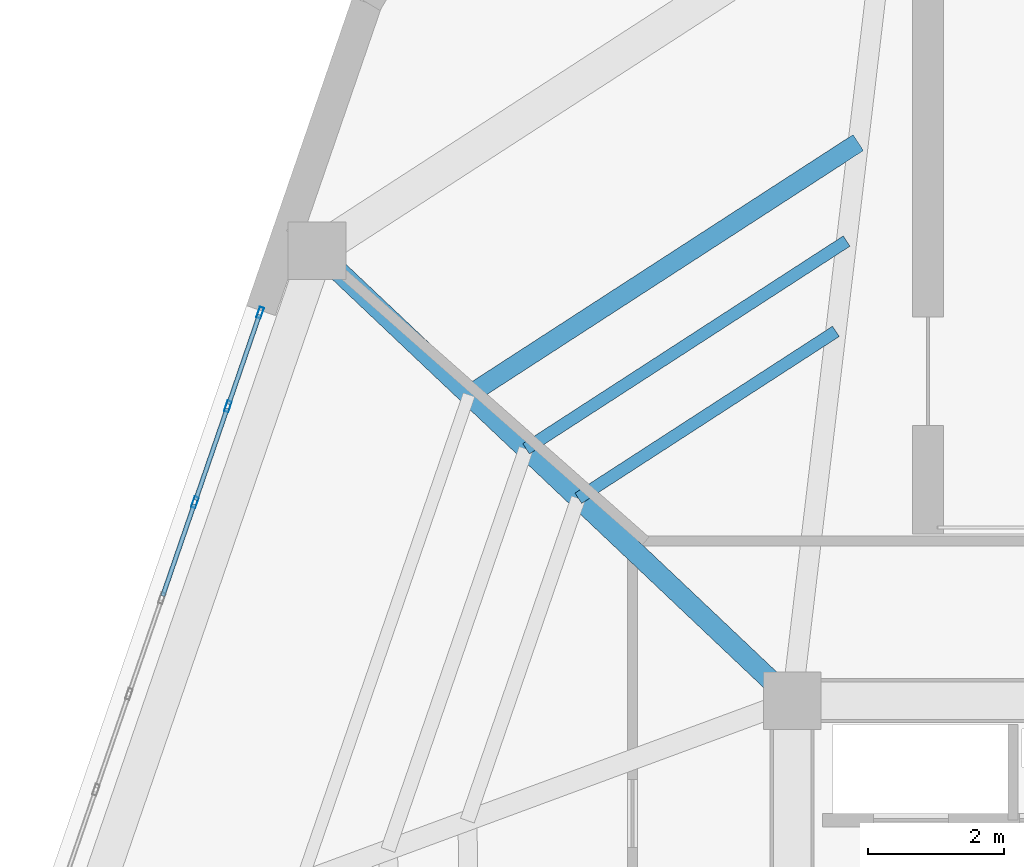
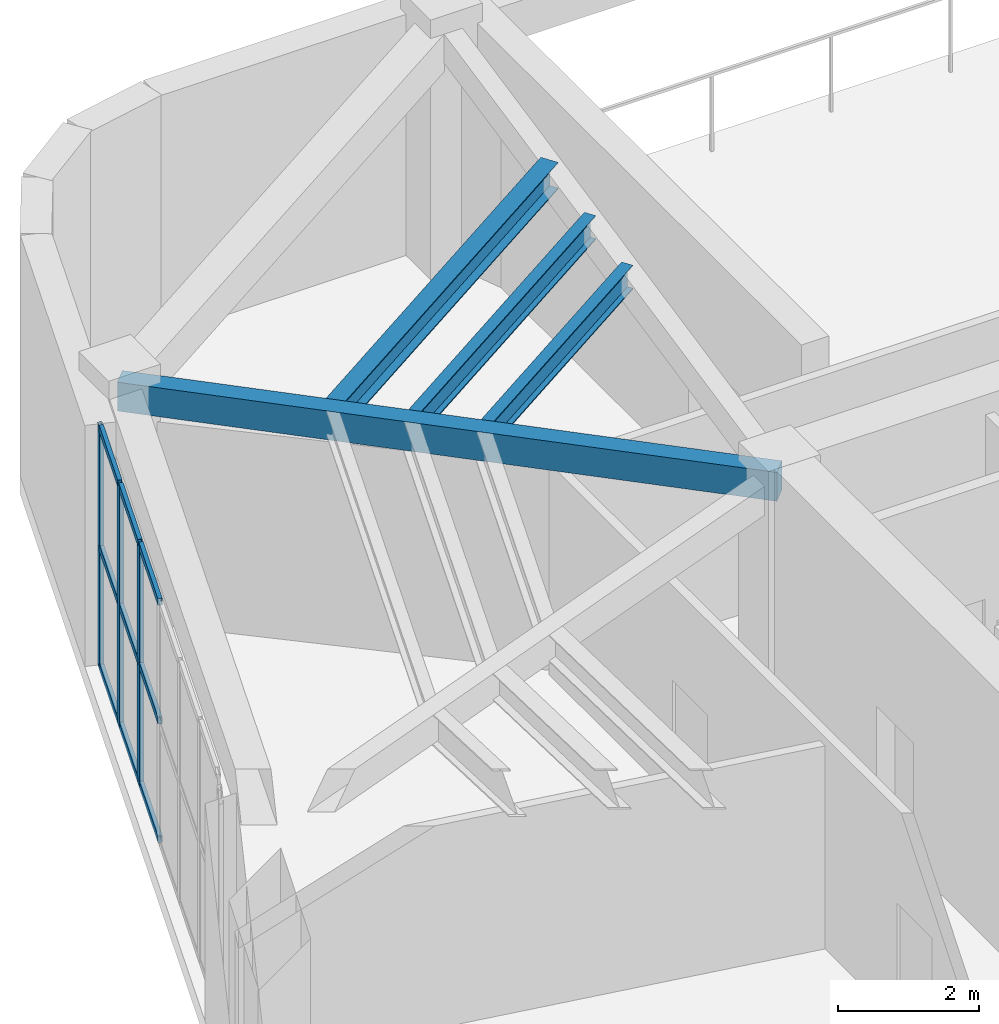
# One storey, part 7 of 15: 12 members, 4 beams, 1 element without a shape of its own.
"""IFC4 building model written with IfcOpenShell, lengths in metres."""

from ifc_helpers import new_model, si_unit, direction, frame, origin, origin_2d, place, context, subcontext, project, spatial, rectangle, hollow_rectangle, i_section, extrude, material, layer, layer_set, material_profile, profile_set, type_object, element, aggregate, save


model = new_model("IFC4")

# Units and contexts
model_context = context("Model", 3, precision=1e-05, world=origin(), true_north=direction((0.0, 1.0)))
body_context = subcontext(model_context, "Body", "Model", "MODEL_VIEW")
ifc_project = project(units=[si_unit("LENGTHUNIT", "METRE"), si_unit("AREAUNIT", "SQUARE_METRE"), si_unit("VOLUMEUNIT", "CUBIC_METRE"), si_unit("PLANEANGLEUNIT", "RADIAN"), si_unit("MASSUNIT", "GRAM", prefix="KILO")], contexts=[model_context])

# Site, building, storey
site_placement = place(None, origin())
site = spatial("IfcSite", under=ifc_project, at=site_placement, CompositionType="ELEMENT")
building_placement = place(site_placement, origin())
building = spatial("IfcBuilding", under=site, at=building_placement, Name="Kilnhurst Terrace Hotel", CompositionType="ELEMENT")
storey_placement = place(building_placement, frame((0.0, 0.0, 288.60009765625)))
storey = spatial("IfcBuildingStorey", under=building, at=storey_placement, Name="L72", CompositionType="ELEMENT", Elevation=288.60009765625)

# Beams
ifc_material_1 = material(Name="Concrete C50/60", Category="concrete")
ifc_material_profile_1 = material_profile(ifc_material_1, rectangle(XDim=0.300048828125, YDim=0.5, at=origin_2d()), Name="RC300X500")
ifc_profile_set_1 = profile_set([ifc_material_profile_1], Name="Concrete C50/60")
beam_type_1 = type_object("IfcBeamType", Name="BM-RAD-300X500", PredefinedType="BEAM", material=ifc_profile_set_1)
beam_1_placement = place(storey_placement, frame((-9.0, 7.5, 3.929931640625), z_axis=(-0.726256338973, 0.687423981326, 0.0), x_axis=(-0.687423981326, -0.726256338973, 0.0)))
element("IfcBeam", 1, at=beam_1_placement, inside=storey, type_object=beam_type_1, Name="L72 Radial Floor Beam 9", PredefinedType="BEAM", context=body_context, shape_type="SweptSolid", body=[
    extrude(rectangle(XDim=0.300048828125, YDim=0.5, at=origin_2d()), origin(), (0.0, 0.0, 1.0), 9.6318359375),
])
ifc_material_2 = material(Name="Steel ASTM A992 Grade 50", Category="steel")
ifc_material_profile_2 = material_profile(ifc_material_2, i_section(OverallWidth=0.180908203125, OverallDepth=0.417236328125, WebThickness=0.010986328125, FlangeThickness=0.018310546875, at=origin_2d()), Name="W16X57")
ifc_profile_set_2 = profile_set([ifc_material_profile_2], Name="Steel ASTM A992 Grade 50")
beam_type_2 = type_object("IfcBeamType", Name="JST-STL-W16X57", PredefinedType="JOIST", material=ifc_profile_set_2)
beam_2_placement = place(storey_placement, frame((-8.35595703125, 12.93603515625, 3.970947265625), z_axis=(-0.839261215199, -0.543728436503, 0.0), x_axis=(0.543728436503, -0.839261215199, 0.0)))
element("IfcBeam", 2, at=beam_2_placement, inside=storey, type_object=beam_type_2, Name="L72 Secondary Floor Steel Joist IN.8", PredefinedType="JOIST", context=body_context, shape_type="SweptSolid", body=[
    extrude(i_section(OverallWidth=0.180908203125, OverallDepth=0.417236328125, WebThickness=0.010986328125, FlangeThickness=0.018310546875, at=origin_2d()), origin(), (0.0, 0.0, 1.0), 4.51806640625),
])
beam_3_placement = place(storey_placement, frame((-8.198486328125, 14.264892578125, 3.970947265625), z_axis=(-0.839260135854, -0.543730102502, 0.0), x_axis=(0.543730102502, -0.839260135854, 0.0)))
element("IfcBeam", 3, at=beam_3_placement, inside=storey, type_object=beam_type_2, Name="L72 Secondary Floor Steel Joist MID.8", PredefinedType="JOIST", context=body_context, shape_type="SweptSolid", body=[
    extrude(i_section(OverallWidth=0.180908203125, OverallDepth=0.417236328125, WebThickness=0.010986328125, FlangeThickness=0.018310546875, at=origin_2d()), origin(), (0.0, 0.0, 1.0), 5.62255859375),
])
ifc_material_profile_3 = material_profile(ifc_material_2, i_section(OverallWidth=0.279296875, OverallDepth=0.462890625, WebThickness=0.0107421875, FlangeThickness=0.017333984375, at=origin_2d()), Name="W18X76")
ifc_profile_set_3 = profile_set([ifc_material_profile_3], Name="Steel ASTM A992 Grade 50")
beam_type_3 = type_object("IfcBeamType", Name="JST-STL-W18X76", PredefinedType="JOIST", material=ifc_profile_set_3)
beam_4_placement = place(storey_placement, frame((-8.02685546875, 15.71435546875, 3.947998046875), z_axis=(-0.839257246669, -0.543734562001, 0.0), x_axis=(0.543734562001, -0.839257246669, 0.0)))
element("IfcBeam", 4, at=beam_4_placement, inside=storey, type_object=beam_type_3, Name="L72 Secondary Floor Steel Joist OUT.8", PredefinedType="JOIST", context=body_context, shape_type="SweptSolid", body=[
    extrude(i_section(OverallWidth=0.279296875, OverallDepth=0.462890625, WebThickness=0.0107421875, FlangeThickness=0.017333984375, at=origin_2d()), origin(), (0.0, 0.0, 1.0), 6.8271484375),
])

# Curtain wall, members
ifc_material_3 = material(Name="Anodized Aluminium Alloy 6063-T6 and Low-E Glass", Category="aluminium")
ifc_layer = layer(ifc_material_3, 0.219970703125, Name="Anodized Aluminium Alloy 6063-T6 and Low-E Glass")
ifc_layer_set = layer_set([ifc_layer], Name="Anodized Aluminium Alloy 6063-T6 and Low-E Glass")
curtain_wall_type = type_object("IfcCurtainWallType", Name="CW-PORTAL-L72", PredefinedType="NOTDEFINED", material=ifc_layer_set)
curtain_wall_placement = place(storey_placement, origin())
curtain_wall = element("IfcCurtainWall", 5, at=curtain_wall_placement, inside=storey, type_object=curtain_wall_type, Name="L72 Curtain Wall CW-L72-F5-1", PredefinedType="NOTDEFINED")
ifc_material_4 = material(Name="Extruded Aluminium Alloy 6063-T6", Category="aluminium")
ifc_material_profile_4 = material_profile(ifc_material_4, hollow_rectangle(XDim=0.06494140625, YDim=0.1650390625, WallThickness=0.00341796875, at=origin_2d()), Name="CWM65X165")
ifc_profile_set_4 = profile_set([ifc_material_profile_4], Name="Extruded Aluminium Alloy 6063-T6")
member_type_1 = type_object("IfcMemberType", Name="MEM-CWM65X165", PredefinedType="MULLION", material=ifc_profile_set_4)
member_1_placement = place(storey_placement, frame((-16.831298828125, 13.21142578125, 0.0), z_axis=(0.0, 0.0, 1.0), x_axis=(0.945577644137, -0.325396556387, 0.0)))
member_1 = element("IfcMember", 6, at=member_1_placement, type_object=member_type_1, Name="CWP-5 mullion 1", PredefinedType="MULLION", context=body_context, shape_type="SweptSolid", body=[
    extrude(hollow_rectangle(XDim=0.06494140625, YDim=0.1650390625, WallThickness=0.00341796875, at=origin_2d()), origin(), (0.0, 0.0, 1.0), 4.179931640625),
])
member_2_placement = place(storey_placement, frame((-17.306396484375, 11.8310546875, 0.0), z_axis=(0.0, 0.0, 1.0), x_axis=(0.945577644137, -0.325396556387, 0.0)))
member_2 = element("IfcMember", 7, at=member_2_placement, type_object=member_type_1, Name="CWP-5 mullion 2", PredefinedType="MULLION", context=body_context, shape_type="SweptSolid", body=[
    extrude(hollow_rectangle(XDim=0.06494140625, YDim=0.1650390625, WallThickness=0.00341796875, at=origin_2d()), origin(), (0.0, 0.0, 1.0), 4.179931640625),
])
member_3_placement = place(storey_placement, frame((-17.7919921875, 10.419921875, 0.0), z_axis=(0.0, 0.0, 1.0), x_axis=(0.945577644137, -0.325396556387, 0.0)))
member_3 = element("IfcMember", 8, at=member_3_placement, type_object=member_type_1, Name="CWP-5 mullion 3", PredefinedType="MULLION", context=body_context, shape_type="SweptSolid", body=[
    extrude(hollow_rectangle(XDim=0.06494140625, YDim=0.1650390625, WallThickness=0.00341796875, at=origin_2d()), origin(), (0.0, 0.0, 1.0), 4.179931640625),
])
ifc_material_profile_5 = material_profile(ifc_material_4, hollow_rectangle(XDim=0.06494140625, YDim=0.1201171875, WallThickness=0.00341796875, at=origin_2d()), Name="CWT65X120")
ifc_profile_set_5 = profile_set([ifc_material_profile_5], Name="Extruded Aluminium Alloy 6063-T6")
member_type_2 = type_object("IfcMemberType", Name="MEM-CWT65X120", PredefinedType="USERDEFINED", material=ifc_profile_set_5)
member_4_placement = place(storey_placement, frame((-16.842041015625, 13.1806640625, 0.032470703125), z_axis=(-0.325402621342, -0.945575557015, 0.0), x_axis=(0.945575557015, -0.325402621342, 0.0)))
member_4 = element("IfcMember", 9, at=member_4_placement, type_object=member_type_2, Name="CWP-5 transom 1.1", ObjectType="TRANSOM", PredefinedType="USERDEFINED", context=body_context, shape_type="SweptSolid", body=[
    extrude(hollow_rectangle(XDim=0.06494140625, YDim=0.1201171875, WallThickness=0.00341796875, at=origin_2d()), origin(), (0.0, 0.0, 1.0), 1.394775390625),
])
member_5_placement = place(storey_placement, frame((-16.842041015625, 13.1806640625, 2.08984375), z_axis=(-0.325402621342, -0.945575557015, 0.0), x_axis=(0.945575557015, -0.325402621342, 0.0)))
member_5 = element("IfcMember", 10, at=member_5_placement, type_object=member_type_2, Name="CWP-5 transom 1.2", ObjectType="TRANSOM", PredefinedType="USERDEFINED", context=body_context, shape_type="SweptSolid", body=[
    extrude(hollow_rectangle(XDim=0.06494140625, YDim=0.1201171875, WallThickness=0.00341796875, at=origin_2d()), origin(), (0.0, 0.0, 1.0), 1.394775390625),
])
member_6_placement = place(storey_placement, frame((-16.842041015625, 13.1806640625, 4.1474609375), z_axis=(-0.325402621342, -0.945575557015, 0.0), x_axis=(0.945575557015, -0.325402621342, 0.0)))
member_6 = element("IfcMember", 11, at=member_6_placement, type_object=member_type_2, Name="CWP-5 transom 1.3", ObjectType="TRANSOM", PredefinedType="USERDEFINED", context=body_context, shape_type="SweptSolid", body=[
    extrude(hollow_rectangle(XDim=0.06494140625, YDim=0.1201171875, WallThickness=0.00341796875, at=origin_2d()), origin(), (0.0, 0.0, 1.0), 1.394775390625),
])
member_7_placement = place(storey_placement, frame((-17.31689453125, 11.80029296875, 0.032470703125), z_axis=(-0.325500404767, -0.945541900973, 0.0), x_axis=(0.945541900973, -0.325500404767, 0.0)))
member_7 = element("IfcMember", 12, at=member_7_placement, type_object=member_type_2, Name="CWP-5 transom 2.1", ObjectType="TRANSOM", PredefinedType="USERDEFINED", context=body_context, shape_type="SweptSolid", body=[
    extrude(hollow_rectangle(XDim=0.06494140625, YDim=0.1201171875, WallThickness=0.00341796875, at=origin_2d()), origin(), (0.0, 0.0, 1.0), 1.42724609375),
])
member_8_placement = place(storey_placement, frame((-17.31689453125, 11.80029296875, 2.08984375), z_axis=(-0.325500404767, -0.945541900973, 0.0), x_axis=(0.945541900973, -0.325500404767, 0.0)))
member_8 = element("IfcMember", 13, at=member_8_placement, type_object=member_type_2, Name="CWP-5 transom 2.2", ObjectType="TRANSOM", PredefinedType="USERDEFINED", context=body_context, shape_type="SweptSolid", body=[
    extrude(hollow_rectangle(XDim=0.06494140625, YDim=0.1201171875, WallThickness=0.00341796875, at=origin_2d()), origin(), (0.0, 0.0, 1.0), 1.42724609375),
])
member_9_placement = place(storey_placement, frame((-17.31689453125, 11.80029296875, 4.1474609375), z_axis=(-0.325500404767, -0.945541900973, 0.0), x_axis=(0.945541900973, -0.325500404767, 0.0)))
member_9 = element("IfcMember", 14, at=member_9_placement, type_object=member_type_2, Name="CWP-5 transom 2.3", ObjectType="TRANSOM", PredefinedType="USERDEFINED", context=body_context, shape_type="SweptSolid", body=[
    extrude(hollow_rectangle(XDim=0.06494140625, YDim=0.1201171875, WallThickness=0.00341796875, at=origin_2d()), origin(), (0.0, 0.0, 1.0), 1.42724609375),
])
member_10_placement = place(storey_placement, frame((-17.802490234375, 10.38916015625, 0.032470703125), z_axis=(-0.325500404767, -0.945541900973, 0.0), x_axis=(0.945541900973, -0.325500404767, 0.0)))
member_10 = element("IfcMember", 15, at=member_10_placement, type_object=member_type_2, Name="CWP-5 transom 3.1", ObjectType="TRANSOM", PredefinedType="USERDEFINED", context=body_context, shape_type="SweptSolid", body=[
    extrude(hollow_rectangle(XDim=0.06494140625, YDim=0.1201171875, WallThickness=0.00341796875, at=origin_2d()), origin(), (0.0, 0.0, 1.0), 1.42724609375),
])
member_11_placement = place(storey_placement, frame((-17.802490234375, 10.38916015625, 2.08984375), z_axis=(-0.325500404767, -0.945541900973, 0.0), x_axis=(0.945541900973, -0.325500404767, 0.0)))
member_11 = element("IfcMember", 16, at=member_11_placement, type_object=member_type_2, Name="CWP-5 transom 3.2", ObjectType="TRANSOM", PredefinedType="USERDEFINED", context=body_context, shape_type="SweptSolid", body=[
    extrude(hollow_rectangle(XDim=0.06494140625, YDim=0.1201171875, WallThickness=0.00341796875, at=origin_2d()), origin(), (0.0, 0.0, 1.0), 1.42724609375),
])
member_12_placement = place(storey_placement, frame((-17.802490234375, 10.38916015625, 4.1474609375), z_axis=(-0.325500404767, -0.945541900973, 0.0), x_axis=(0.945541900973, -0.325500404767, 0.0)))
member_12 = element("IfcMember", 17, at=member_12_placement, type_object=member_type_2, Name="CWP-5 transom 3.3", ObjectType="TRANSOM", PredefinedType="USERDEFINED", context=body_context, shape_type="SweptSolid", body=[
    extrude(hollow_rectangle(XDim=0.06494140625, YDim=0.1201171875, WallThickness=0.00341796875, at=origin_2d()), origin(), (0.0, 0.0, 1.0), 1.42724609375),
])
aggregate(curtain_wall, [member_1, member_2, member_3, member_4, member_5, member_6, member_7, member_8, member_9, member_10, member_11, member_12])

save(model, "model.ifc")
